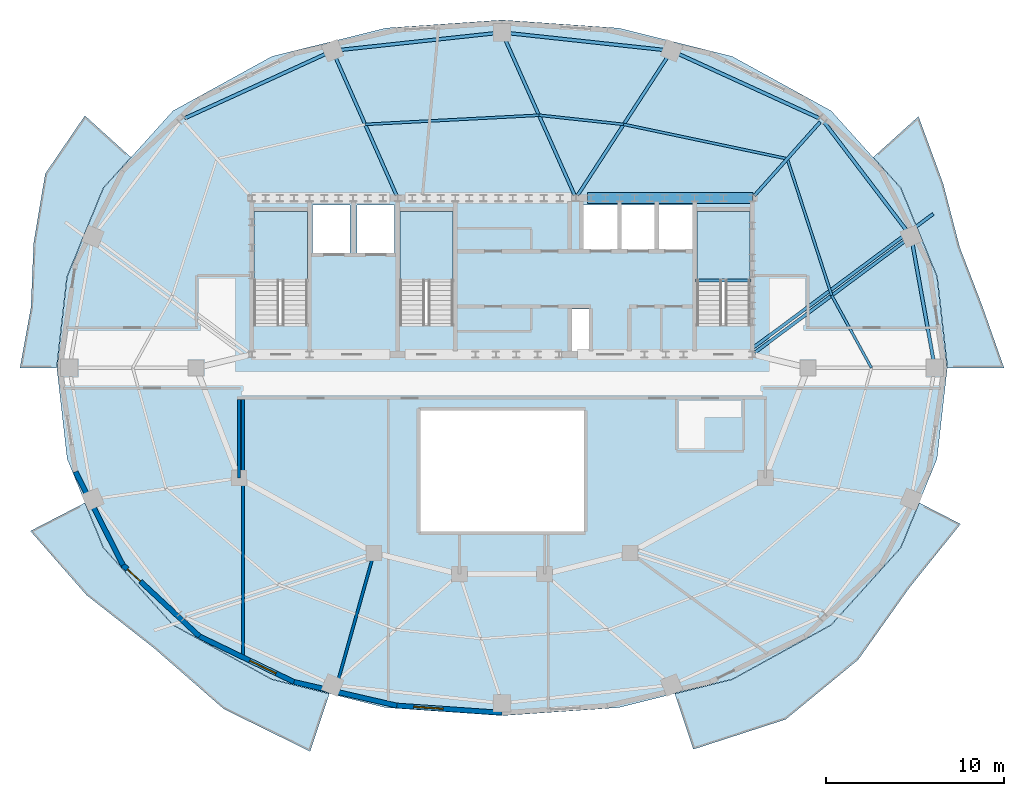
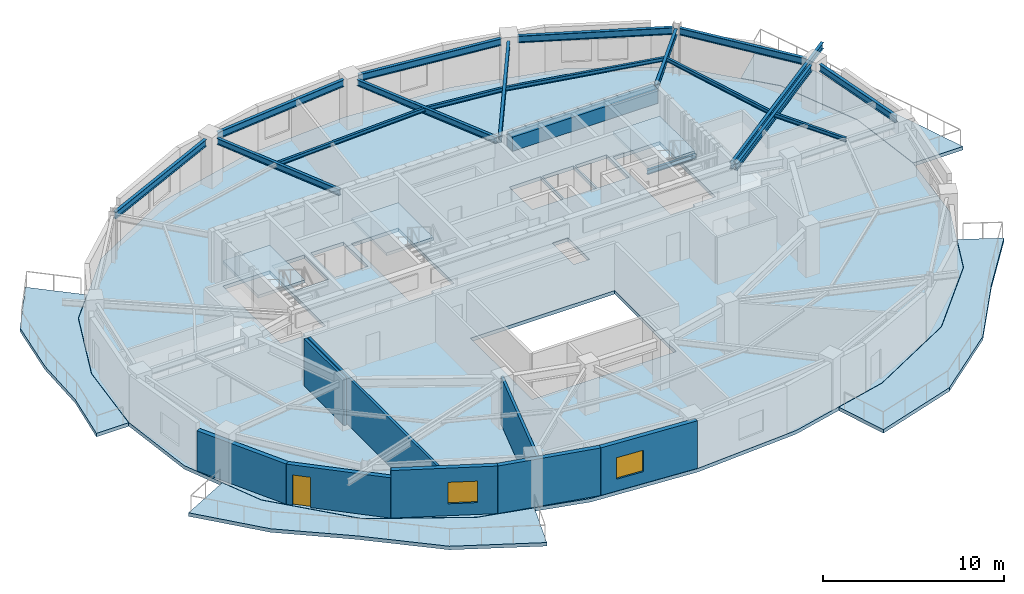
# One storey, part 3 of 10: 19 beams, 8 slabs, 8 walls, 2 windows, 1 door, 3 openings, 3 elements without a shape of their own.
"""IFC4 building model written with IfcOpenShell, lengths in metres."""

from ifc_helpers import new_model, si_unit, direction, frame, frame_2d, origin, origin_2d, place, context, subcontext, project, spatial, polyline, rectangle, i_section, outline, extrude, material, layer, layer_set, material_profile, profile_set, type_object, element, fill, aggregate, save


model = new_model("IFC4")

# Units and contexts
model_context = context("Model", 3, precision=1e-05, world=origin(), true_north=direction((0.0, 1.0)))
body_context = subcontext(model_context, "Body", "Model", "MODEL_VIEW")
ifc_project = project(units=[si_unit("LENGTHUNIT", "METRE"), si_unit("AREAUNIT", "SQUARE_METRE"), si_unit("VOLUMEUNIT", "CUBIC_METRE"), si_unit("PLANEANGLEUNIT", "RADIAN"), si_unit("MASSUNIT", "GRAM", prefix="KILO")], contexts=[model_context])

# Site, building, storey
site_placement = place(None, origin())
site = spatial("IfcSite", under=ifc_project, at=site_placement, CompositionType="ELEMENT")
building_placement = place(site_placement, origin())
building = spatial("IfcBuilding", under=site, at=building_placement, Name="Haldorwick Loom Tower", CompositionType="ELEMENT")
storey_placement = place(building_placement, frame((0.0, 0.0, 266.10009765625)))
storey = spatial("IfcBuildingStorey", under=building, at=storey_placement, Name="L72", CompositionType="ELEMENT", Elevation=266.10009765625)

# Beams
ifc_material_1 = material(Name="Steel CSA G40.21 350W", Category="steel")
ifc_material_profile_1 = material_profile(ifc_material_1, i_section(OverallWidth=0.179931640625, OverallDepth=0.4130859375, WebThickness=0.009765625, FlangeThickness=0.01611328125, at=origin_2d()), Name="W410X74", Category="steel")
ifc_profile_set_1 = profile_set([ifc_material_profile_1], Name="Steel CSA G40.21 350W")
beam_type_1 = type_object("IfcBeamType", Name="STR-BM-BAL410", PredefinedType="BEAM", material=ifc_profile_set_1)
beam_1_placement = place(storey_placement, frame((50.040771484375, 27.076904296875, 3.00341796875), z_axis=(0.802796921865, 0.596252549046, 0.0), x_axis=(-0.596252549046, 0.802796921865, 0.0)))
element("IfcBeam", 1, at=beam_1_placement, inside=storey, type_object=beam_type_1, Name="L72 Continuous Back-Spanned Balcony Beam 4", PredefinedType="BEAM", context=body_context, shape_type="SweptSolid", body=[
    extrude(i_section(OverallWidth=0.179931640625, OverallDepth=0.4130859375, WebThickness=0.009765625, FlangeThickness=0.01611328125, at=origin_2d()), origin(), (0.0, 0.0, 1.0), 12.7080078125),
])
ifc_material_2 = material(Name="Concrete C50 (50 MPa)", Category="concrete")
ifc_material_profile_2 = material_profile(ifc_material_2, rectangle(XDim=0.60009765625, YDim=0.949951171875, at=origin_2d()), Name="RC600X950", Category="concrete")
ifc_profile_set_2 = profile_set([ifc_material_profile_2], Name="Concrete C50 (50 MPa)")
beam_type_2 = type_object("IfcBeamType", Name="STR-BM-CB950", PredefinedType="LINTEL", material=ifc_profile_set_2)
beam_2_placement = place(storey_placement, frame((40.800048828125, 35.550048828125, 2.73486328125), z_axis=(1.0, 0.0, 0.0), x_axis=(0.0, 1.0, 0.0)))
element("IfcBeam", 2, at=beam_2_placement, inside=storey, type_object=beam_type_2, Name="L72 Core Coupling Beam CB-N3", PredefinedType="LINTEL", context=body_context, shape_type="SweptSolid", body=[
    extrude(rectangle(XDim=0.60009765625, YDim=0.949951171875, at=origin_2d()), origin(), (0.0, 0.0, 1.0), 9.300048828125),
])
ifc_material_profile_3 = material_profile(ifc_material_1, i_section(OverallWidth=0.14599609375, OverallDepth=0.258056640625, WebThickness=0.006103515625, FlangeThickness=0.009033203125, at=origin_2d()), Name="W250X33", Category="steel")
ifc_profile_set_3 = profile_set([ifc_material_profile_3], Name="Steel CSA G40.21 350W")
beam_type_3 = type_object("IfcBeamType", Name="STR-BM-J250", PredefinedType="JOIST", material=ifc_profile_set_3)
beam_3_placement = place(storey_placement, frame((56.768310546875, 26.0, 3.080810546875), z_axis=(-0.480863931781, 0.876795232145, 0.0), x_axis=(-0.876795232145, -0.480863931781, 0.0)))
element("IfcBeam", 3, at=beam_3_placement, inside=storey, type_object=beam_type_3, Name="L72 Mid-Bay Secondary Joist 1", PredefinedType="JOIST", context=body_context, shape_type="SweptSolid", body=[
    extrude(i_section(OverallWidth=0.14599609375, OverallDepth=0.258056640625, WebThickness=0.006103515625, FlangeThickness=0.009033203125, at=origin_2d()), origin(), (0.0, 0.0, 1.0), 4.639404296875),
])
beam_4_placement = place(storey_placement, frame((54.537353515625, 30.06787109375, 3.080810546875), z_axis=(-0.309277990337, 0.95097167397, 0.0), x_axis=(-0.95097167397, -0.309277990337, 0.0)))
element("IfcBeam", 4, at=beam_4_placement, inside=storey, type_object=beam_type_3, Name="L72 Mid-Bay Secondary Joist 2", PredefinedType="JOIST", context=body_context, shape_type="SweptSolid", body=[
    extrude(i_section(OverallWidth=0.14599609375, OverallDepth=0.258056640625, WebThickness=0.006103515625, FlangeThickness=0.009033203125, at=origin_2d()), origin(), (0.0, 0.0, 1.0), 8.08251953125),
])
beam_5_placement = place(storey_placement, frame((52.03759765625, 37.754150390625, 3.080810546875), z_axis=(-0.978553918403, 0.205990846344, 0.0), x_axis=(-0.205990846344, -0.978553918403, 0.0)))
element("IfcBeam", 5, at=beam_5_placement, inside=storey, type_object=beam_type_3, Name="L72 Mid-Bay Secondary Joist 3", PredefinedType="JOIST", context=body_context, shape_type="SweptSolid", body=[
    extrude(i_section(OverallWidth=0.14599609375, OverallDepth=0.258056640625, WebThickness=0.006103515625, FlangeThickness=0.009033203125, at=origin_2d()), origin(), (0.0, 0.0, 1.0), 9.39990234375),
])
beam_6_placement = place(storey_placement, frame((42.83935546875, 39.6904296875, 3.080810546875), z_axis=(-0.994216460534, 0.10739473732, 0.0), x_axis=(-0.10739473732, -0.994216460534, 0.0)))
element("IfcBeam", 6, at=beam_6_placement, inside=storey, type_object=beam_type_3, Name="L72 Mid-Bay Secondary Joist 4", PredefinedType="JOIST", context=body_context, shape_type="SweptSolid", body=[
    extrude(i_section(OverallWidth=0.14599609375, OverallDepth=0.258056640625, WebThickness=0.006103515625, FlangeThickness=0.009033203125, at=origin_2d()), origin(), (0.0, 0.0, 1.0), 4.792236328125),
])
beam_7_placement = place(storey_placement, frame((38.074951171875, 40.205078125, 3.080810546875), z_axis=(-0.998616726661, -0.052579779693, 0.0), x_axis=(0.052579779693, -0.998616726661, 0.0)))
element("IfcBeam", 7, at=beam_7_placement, inside=storey, type_object=beam_type_3, Name="L72 Mid-Bay Secondary Joist 5", PredefinedType="JOIST", context=body_context, shape_type="SweptSolid", body=[
    extrude(i_section(OverallWidth=0.14599609375, OverallDepth=0.258056640625, WebThickness=0.006103515625, FlangeThickness=0.009033203125, at=origin_2d()), origin(), (0.0, 0.0, 1.0), 9.787841796875),
])
ifc_material_profile_4 = material_profile(ifc_material_1, i_section(OverallWidth=0.179931640625, OverallDepth=0.4130859375, WebThickness=0.009765625, FlangeThickness=0.01611328125, at=origin_2d()), Name="W410X74", Category="steel")
ifc_profile_set_4 = profile_set([ifc_material_profile_4], Name="Steel CSA G40.21 350W")
beam_type_4 = type_object("IfcBeamType", Name="STR-BM-J410", PredefinedType="JOIST", material=ifc_profile_set_4)
beam_8_placement = place(storey_placement, frame((50.207763671875, 26.852294921875, 3.00341796875), z_axis=(0.802802773234, 0.596244670658, 0.0), x_axis=(-0.596244670658, 0.802802773234, 0.0)))
element("IfcBeam", 8, at=beam_8_placement, inside=storey, type_object=beam_type_4, Name="L72 Radial Floor Girder 2", PredefinedType="JOIST", context=body_context, shape_type="SweptSolid", body=[
    extrude(i_section(OverallWidth=0.179931640625, OverallDepth=0.4130859375, WebThickness=0.009765625, FlangeThickness=0.01611328125, at=origin_2d()), origin(), (0.0, 0.0, 1.0), 10.482666015625),
])
beam_9_placement = place(storey_placement, frame((50.18408203125, 35.677978515625, 3.00341796875), z_axis=(0.665970391236, 0.745978175282, 0.0), x_axis=(-0.745978175282, 0.665970391236, 0.0)))
element("IfcBeam", 9, at=beam_9_placement, inside=storey, type_object=beam_type_4, Name="L72 Radial Floor Girder 3", PredefinedType="JOIST", context=body_context, shape_type="SweptSolid", body=[
    extrude(i_section(OverallWidth=0.179931640625, OverallDepth=0.4130859375, WebThickness=0.009765625, FlangeThickness=0.01611328125, at=origin_2d()), origin(), (0.0, 0.0, 1.0), 5.559814453125),
])
beam_10_placement = place(storey_placement, frame((40.243408203125, 35.69384765625, 3.00341796875), z_axis=(0.544714921264, 0.838621281958, 0.0), x_axis=(-0.838621281958, 0.544714921264, 0.0)))
element("IfcBeam", 10, at=beam_10_placement, inside=storey, type_object=beam_type_4, Name="L72 Radial Floor Girder 4", PredefinedType="JOIST", context=body_context, shape_type="SweptSolid", body=[
    extrude(i_section(OverallWidth=0.179931640625, OverallDepth=0.4130859375, WebThickness=0.009765625, FlangeThickness=0.01611328125, at=origin_2d()), origin(), (0.0, 0.0, 1.0), 9.22802734375),
])
beam_11_placement = place(storey_placement, frame((40.080078125, 35.70654296875, 3.00341796875), z_axis=(-0.407125301808, 0.913372316543, 0.0), x_axis=(-0.913372316543, -0.407125301808, 0.0)))
element("IfcBeam", 11, at=beam_11_placement, inside=storey, type_object=beam_type_4, Name="L72 Radial Floor Girder 5", PredefinedType="JOIST", context=body_context, shape_type="SweptSolid", body=[
    extrude(i_section(OverallWidth=0.179931640625, OverallDepth=0.4130859375, WebThickness=0.009765625, FlangeThickness=0.01611328125, at=origin_2d()), origin(), (0.0, 0.0, 1.0), 9.546630859375),
])
beam_12_placement = place(storey_placement, frame((30.060791015625, 35.706787109375, 3.00341796875), z_axis=(-0.404157067806, 0.914689600106, 0.0), x_axis=(-0.914689600106, -0.404157067806, 0.0)))
element("IfcBeam", 12, at=beam_12_placement, inside=storey, type_object=beam_type_4, Name="L72 Radial Floor Girder 6", PredefinedType="JOIST", context=body_context, shape_type="SweptSolid", body=[
    extrude(i_section(OverallWidth=0.179931640625, OverallDepth=0.4130859375, WebThickness=0.009765625, FlangeThickness=0.01611328125, at=origin_2d()), origin(), (0.0, 0.0, 1.0), 8.406982421875),
])
ifc_material_profile_5 = material_profile(ifc_material_1, i_section(OverallWidth=0.193115234375, OverallDepth=0.466064453125, WebThickness=0.011474609375, FlangeThickness=0.01904296875, at=origin_2d()), Name="W460X97", Category="steel")
ifc_profile_set_5 = profile_set([ifc_material_profile_5], Name="Steel CSA G40.21 350W")
beam_type_5 = type_object("IfcBeamType", Name="STR-BM-SP460", PredefinedType="SPANDREL", material=ifc_profile_set_5)
beam_13_placement = place(storey_placement, frame((60.25244140625, 26.467529296875, 2.976806640625), z_axis=(-0.177515201984, 0.984118058499, 0.0), x_axis=(-0.984118058499, -0.177515201984, 0.0)))
element("IfcBeam", 13, at=beam_13_placement, inside=storey, type_object=beam_type_5, Name="L72 Perimeter Spandrel 1", PredefinedType="SPANDREL", context=body_context, shape_type="SweptSolid", body=[
    extrude(i_section(OverallWidth=0.193115234375, OverallDepth=0.466064453125, WebThickness=0.011474609375, FlangeThickness=0.01904296875, at=origin_2d()), origin(), (0.0, 0.0, 1.0), 6.5546875),
])
beam_14_placement = place(storey_placement, frame((58.717041015625, 33.763916015625, 2.976806640625), z_axis=(-0.605410439126, 0.795913437629, 0.0), x_axis=(-0.795913437629, -0.605410439126, 0.0)))
element("IfcBeam", 14, at=beam_14_placement, inside=storey, type_object=beam_type_5, Name="L72 Perimeter Spandrel 2", PredefinedType="SPANDREL", context=body_context, shape_type="SweptSolid", body=[
    extrude(i_section(OverallWidth=0.193115234375, OverallDepth=0.466064453125, WebThickness=0.011474609375, FlangeThickness=0.01904296875, at=origin_2d()), origin(), (0.0, 0.0, 1.0), 7.604736328125),
])
beam_15_placement = place(storey_placement, frame((53.84326171875, 40.0322265625, 2.976806640625), z_axis=(-0.909567887863, 0.415555360172, 0.0), x_axis=(-0.415555360172, -0.909567887863, 0.0)))
element("IfcBeam", 15, at=beam_15_placement, inside=storey, type_object=beam_type_5, Name="L72 Perimeter Spandrel 3", PredefinedType="SPANDREL", context=body_context, shape_type="SweptSolid", body=[
    extrude(i_section(OverallWidth=0.193115234375, OverallDepth=0.466064453125, WebThickness=0.011474609375, FlangeThickness=0.01904296875, at=origin_2d()), origin(), (0.0, 0.0, 1.0), 8.666259765625),
])
for number, where, z_axis, x_axis, name in (
    (16, (45.056396484375, 43.8818359375, 2.976806640625), (-0.994216353781, 0.107395725588, 0.0), (-0.107395725588, -0.994216353781, 0.0), "L72 Perimeter Spandrel 4"),
    (17, (35.527587890625, 44.80908203125, 2.976806640625), (-0.994216353781, -0.107395725588, 0.0), (0.107395725588, -0.994216353781, 0.0), "L72 Perimeter Spandrel 5"),
):
    element("IfcBeam", number, at=place(storey_placement, frame(where, z_axis=z_axis, x_axis=x_axis)), inside=storey, type_object=beam_type_5, Name=name, PredefinedType="SPANDREL", context=body_context, shape_type="SweptSolid", body=[
        extrude(i_section(OverallWidth=0.193115234375, OverallDepth=0.466064453125, WebThickness=0.011474609375, FlangeThickness=0.01904296875, at=origin_2d()), origin(), (0.0, 0.0, 1.0), 8.634033203125),
    ])
beam_16_placement = place(storey_placement, frame((26.039306640625, 43.633544921875, 2.976806640625), z_axis=(-0.909567887863, -0.415555360172, 0.0), x_axis=(0.415555360172, -0.909567887863, 0.0)))
element("IfcBeam", 18, at=beam_16_placement, inside=storey, type_object=beam_type_5, Name="L72 Perimeter Spandrel 6", PredefinedType="SPANDREL", context=body_context, shape_type="SweptSolid", body=[
    extrude(i_section(OverallWidth=0.193115234375, OverallDepth=0.466064453125, WebThickness=0.011474609375, FlangeThickness=0.01904296875, at=origin_2d()), origin(), (0.0, 0.0, 1.0), 8.666259765625),
])
ifc_material_profile_6 = material_profile(ifc_material_1, i_section(OverallWidth=0.166015625, OverallDepth=0.31298828125, WebThickness=0.006591796875, FlangeThickness=0.01123046875, at=origin_2d()), Name="W310X45", Category="steel")
ifc_profile_set_6 = profile_set([ifc_material_profile_6], Name="Steel CSA G40.21 350W")
beam_type_6 = type_object("IfcBeamType", Name="STR-BM-STRM", PredefinedType="BEAM", material=ifc_profile_set_6)
beam_17_placement = place(storey_placement, frame((46.889892578125, 30.919921875, 1.368408203125), z_axis=(1.0, 0.0, 0.0), x_axis=(0.0, 1.0, 0.0)))
element("IfcBeam", 19, at=beam_17_placement, inside=storey, type_object=beam_type_6, Name="L72 Stair ST-02 Half-Landing Trimmer 1", PredefinedType="BEAM", context=body_context, shape_type="SweptSolid", body=[
    extrude(i_section(OverallWidth=0.166015625, OverallDepth=0.31298828125, WebThickness=0.006591796875, FlangeThickness=0.01123046875, at=origin_2d()), origin(), (0.0, 0.0, 1.0), 3.1201171875),
])

# Slabs
ifc_material_3 = material(Name="Concrete C40 (40 MPa)", Category="concrete")
ifc_layer_1 = layer(ifc_material_3, 0.239990234375, Name="Concrete C40 (40 MPa)", Category="concrete")
ifc_layer_set_1 = layer_set([ifc_layer_1], Name="Concrete C40 (40 MPa)")
slab_type_1 = type_object("IfcSlabType", Name="STR-SLB-BAL240", PredefinedType="FLOOR", material=ifc_layer_set_1)
slab_1_placement = place(storey_placement, frame((0.0, 0.0, -0.239990234375)))
element("IfcSlab", 20, at=slab_1_placement, inside=storey, type_object=slab_type_1, Name="L72 Sinusoidal Balcony Terrace BAL_SE", PredefinedType="FLOOR", context=body_context, shape_type="SweptSolid", body=[
    extrude(outline(polyline([(59.459716796875, 18.406494140625), (58.427978515625, 15.88427734375), (58.427490234375, 15.883056640625), (58.4267578125, 15.882080078125), (58.426025390625, 15.881103515625), (58.42529296875, 15.8798828125), (54.51123046875, 11.53662109375), (54.51025390625, 11.535400390625), (54.5087890625, 11.534423828125), (54.50732421875, 11.53369140625), (48.947998046875, 8.475830078125), (48.947021484375, 8.475341796875), (48.94580078125, 8.474853515625), (48.9443359375, 8.474365234375), (45.716796875, 7.66845703125), (46.75927734375, 4.5478515625), (51.94775390625, 6.230712890625), (56.02783203125, 9.59130859375), (58.89404296875, 13.623291015625), (61.779052734375, 17.21826171875), (59.459716796875, 18.406494140625)])), origin(), (0.0, 0.0, 1.0), 0.239990234375),
])
slab_2_placement = place(storey_placement, frame((0.0, 0.0, -0.239990234375)))
element("IfcSlab", 21, at=slab_2_placement, inside=storey, type_object=slab_type_1, Name="L72 Sinusoidal Balcony Terrace BAL_SW", PredefinedType="FLOOR", context=body_context, shape_type="SweptSolid", body=[
    extrude(outline(polyline([(26.283203125, 7.66845703125), (23.0556640625, 8.474365234375), (23.05419921875, 8.474853515625), (23.052978515625, 8.475341796875), (23.052001953125, 8.475830078125), (17.49267578125, 11.53369140625), (17.4912109375, 11.534423828125), (17.48974609375, 11.535400390625), (17.48876953125, 11.53662109375), (13.57470703125, 15.8798828125), (13.573974609375, 15.881103515625), (13.5732421875, 15.882080078125), (13.572509765625, 15.883056640625), (13.572021484375, 15.88427734375), (12.54052734375, 18.40576171875), (9.477294921875, 16.823974609375), (12.634521484375, 13.219970703125), (16.458251953125, 10.213623046875), (20.3564453125, 6.8134765625), (25.20263671875, 4.430419921875), (26.283203125, 7.66845703125)])), origin(), (0.0, 0.0, 1.0), 0.239990234375),
])
slab_3_placement = place(storey_placement, frame((0.0, 0.0, -0.239990234375)))
element("IfcSlab", 22, at=slab_3_placement, inside=storey, type_object=slab_type_1, Name="L72 Sinusoidal Balcony Terrace BAL_WNW", PredefinedType="FLOOR", context=body_context, shape_type="SweptSolid", body=[
    extrude(outline(polyline([(10.9482421875, 26.0), (10.9482421875, 26.001708984375), (11.529296875, 31.12109375), (11.529541015625, 31.12255859375), (11.530029296875, 31.123779296875), (11.530517578125, 31.125), (13.572021484375, 36.11572265625), (13.572509765625, 36.116943359375), (13.5732421875, 36.117919921875), (13.573974609375, 36.118896484375), (13.57470703125, 36.1201171875), (15.125, 37.84033203125), (12.54052734375, 40.17822265625), (10.31298828125, 36.9169921875), (9.6611328125, 33.035400390625), (9.507080078125, 29.4091796875), (8.8916015625, 26.0), (10.9482421875, 26.0)])), origin(), (0.0, 0.0, 1.0), 0.239990234375),
])
slab_4_placement = place(storey_placement, frame((0.0, 0.0, -0.239990234375)))
element("IfcSlab", 23, at=slab_4_placement, inside=storey, type_object=slab_type_1, Name="L72 Sinusoidal Balcony Terrace BAL_ENE", PredefinedType="FLOOR", context=body_context, shape_type="SweptSolid", body=[
    extrude(outline(polyline([(56.875, 37.84033203125), (58.42529296875, 36.1201171875), (58.426025390625, 36.118896484375), (58.4267578125, 36.117919921875), (58.427490234375, 36.116943359375), (58.427978515625, 36.11572265625), (60.469482421875, 31.125), (60.469970703125, 31.123779296875), (60.470458984375, 31.12255859375), (60.470703125, 31.12109375), (61.0517578125, 26.001708984375), (61.0517578125, 26.0), (64.22509765625, 26.0), (62.98974609375, 29.510009765625), (61.732666015625, 32.783447265625), (60.806396484375, 36.342529296875), (59.414306640625, 40.13623046875), (56.875, 37.84033203125)])), origin(), (0.0, 0.0, 1.0), 0.239990234375),
])

# Stair, slab
stair_type = type_object("IfcStairType", Name="STR-STR-CORE", PredefinedType="HALF_TURN_STAIR", material=ifc_material_3)
stair_1_placement = place(storey_placement, origin())
stair_1 = element("IfcStair", 24, at=stair_1_placement, inside=storey, type_object=stair_type, Name="L72 Exit Stair ST-01", PredefinedType="HALF_TURN_STAIR")
ifc_layer_2 = layer(ifc_material_3, 0.199951171875, Name="Concrete C40 (40 MPa)", Category="concrete")
ifc_layer_set_2 = layer_set([ifc_layer_2], Name="Concrete C40 (40 MPa)")
slab_type_2 = type_object("IfcSlabType", Name="STR-SLB-LAND200", PredefinedType="LANDING", material=ifc_layer_set_2)
slab_5_placement = place(storey_placement, frame((0.0, 0.0, 1.52490234375)))
slab_5 = element("IfcSlab", 25, at=slab_5_placement, type_object=slab_type_2, Name="ST-01 landing 1", PredefinedType="LANDING", context=body_context, shape_type="SweptSolid", body=[
    extrude(outline(polyline([(25.050048828125, 30.919921875), (25.050048828125, 34.800048828125), (22.050048828125, 34.800048828125), (22.050048828125, 30.919921875), (25.050048828125, 30.919921875)])), origin(), (0.0, 0.0, 1.0), 0.199951171875),
])
aggregate(stair_1, [slab_5])

stair_2_placement = place(storey_placement, origin())
stair_2 = element("IfcStair", 26, at=stair_2_placement, inside=storey, type_object=stair_type, Name="L72 Exit Stair ST-02", PredefinedType="HALF_TURN_STAIR")
slab_6_placement = place(storey_placement, frame((0.0, 0.0, 1.52490234375)))
slab_6 = element("IfcSlab", 27, at=slab_6_placement, type_object=slab_type_2, Name="ST-02 landing 1", PredefinedType="LANDING", context=body_context, shape_type="SweptSolid", body=[
    extrude(outline(polyline([(49.949951171875, 30.919921875), (49.949951171875, 34.800048828125), (46.949951171875, 34.800048828125), (46.949951171875, 30.919921875), (49.949951171875, 30.919921875)])), origin(), (0.0, 0.0, 1.0), 0.199951171875),
])
aggregate(stair_2, [slab_6])

stair_3_placement = place(storey_placement, origin())
stair_3 = element("IfcStair", 28, at=stair_3_placement, inside=storey, type_object=stair_type, Name="L72 Exit Stair ST-03", PredefinedType="HALF_TURN_STAIR")
slab_7_placement = place(storey_placement, frame((0.0, 0.0, 1.52490234375)))
slab_7 = element("IfcSlab", 29, at=slab_7_placement, type_object=slab_type_2, Name="ST-03 landing 1", PredefinedType="LANDING", context=body_context, shape_type="SweptSolid", body=[
    extrude(outline(polyline([(33.25, 30.919921875), (33.25, 34.800048828125), (30.25, 34.800048828125), (30.25, 30.919921875), (33.25, 30.919921875)])), origin(), (0.0, 0.0, 1.0), 0.199951171875),
])
aggregate(stair_3, [slab_7])

# Slab
ifc_layer_3 = layer(ifc_material_3, 0.239990234375, Name="Concrete C40 (40 MPa)", Category="concrete")
ifc_layer_set_3 = layer_set([ifc_layer_3], Name="Concrete C40 (40 MPa)")
slab_type_3 = type_object("IfcSlabType", Name="STR-SLB-RES240", PredefinedType="FLOOR", material=ifc_layer_set_3)
slab_8_placement = place(storey_placement, frame((0.0, 0.0, -0.239990234375)))
element("IfcSlab", 30, at=slab_8_placement, inside=storey, type_object=slab_type_3, Name="L72 Residential Structural Floor Slab", PredefinedType="FLOOR", context=body_context, shape_type="SweptSolid", body=[
    extrude(outline(polyline([(54.500244140625, 11.546630859375), (58.4140625, 15.889892578125), (60.455810546875, 20.880615234375), (61.036865234375, 26.0), (60.455810546875, 31.119384765625), (58.4140625, 36.110107421875), (54.500244140625, 40.453369140625), (48.94091796875, 43.510986328125), (42.552978515625, 45.10595703125), (36.0, 45.56005859375), (29.447021484375, 45.10595703125), (23.05908203125, 43.510986328125), (17.499755859375, 40.453369140625), (13.5859375, 36.110107421875), (11.544189453125, 31.119384765625), (10.963134765625, 26.0), (11.544189453125, 20.880615234375), (13.5859375, 15.889892578125), (17.499755859375, 11.546630859375), (23.05908203125, 8.489013671875), (29.447021484375, 6.89404296875), (36.0, 6.43994140625), (42.552978515625, 6.89404296875), (48.94091796875, 8.489013671875), (54.500244140625, 11.546630859375)]), holes=[polyline([(31.39990234375, 16.800048828125), (31.39990234375, 23.60009765625), (40.60009765625, 23.60009765625), (40.60009765625, 16.800048828125), (31.39990234375, 16.800048828125)]), polyline([(40.89990234375, 26.89990234375), (39.89990234375, 26.89990234375), (39.89990234375, 29.300048828125), (40.89990234375, 29.300048828125), (40.89990234375, 26.89990234375)]), polyline([(23.6201171875, 28.39990234375), (22.050048828125, 28.39990234375), (22.050048828125, 34.800048828125), (25.050048828125, 34.800048828125), (25.050048828125, 28.639892578125), (23.6201171875, 28.639892578125), (23.6201171875, 28.39990234375)]), polyline([(30.25, 28.39990234375), (30.25, 34.800048828125), (33.25, 34.800048828125), (33.25, 28.639892578125), (31.820068359375, 28.639892578125), (31.820068359375, 28.39990234375), (30.25, 28.39990234375)]), polyline([(46.949951171875, 28.39990234375), (46.949951171875, 34.800048828125), (49.949951171875, 34.800048828125), (49.949951171875, 28.639892578125), (48.52001953125, 28.639892578125), (48.52001953125, 28.39990234375), (46.949951171875, 28.39990234375)]), polyline([(27.449951171875, 32.449951171875), (25.35009765625, 32.449951171875), (25.35009765625, 35.14990234375), (27.449951171875, 35.14990234375), (27.449951171875, 32.449951171875)]), polyline([(29.949951171875, 32.449951171875), (27.85009765625, 32.449951171875), (27.85009765625, 35.14990234375), (29.949951171875, 35.14990234375), (29.949951171875, 32.449951171875)]), polyline([(42.550048828125, 32.64990234375), (40.550048828125, 32.64990234375), (40.550048828125, 35.14990234375), (42.550048828125, 35.14990234375), (42.550048828125, 32.64990234375)]), polyline([(42.64990234375, 32.64990234375), (42.64990234375, 35.14990234375), (44.64990234375, 35.14990234375), (44.64990234375, 32.64990234375), (42.64990234375, 32.64990234375)]), polyline([(44.75, 32.64990234375), (44.75, 35.14990234375), (46.75, 35.14990234375), (46.75, 32.64990234375), (44.75, 32.64990234375)])]), origin(), (0.0, 0.0, 1.0), 0.239990234375),
])

# Wall
ifc_material_4 = material(Name="Pressed Clay Face Brick and Insulated Masonry Backup Assembly", Category="masonry")
ifc_layer_4 = layer(ifc_material_4, 0.280029296875, Name="Pressed Clay Face Brick and Insulated Masonry Backup Assembly", Category="masonry")
ifc_layer_set_4 = layer_set([ifc_layer_4], Name="Pressed Clay Face Brick and Insulated Masonry Backup Assembly")
wall_type_1 = type_object("IfcWallType", Name="ARC-WL-EXT280", PredefinedType="STANDARD", material=ifc_layer_set_4)
wall_1_placement = place(storey_placement, frame((12.013671875, 20.151123046875, 0.0), z_axis=(0.0, 0.0, 1.0), x_axis=(0.453100705059, -0.89145933787, 0.0)))
element("IfcWall", 31, at=wall_1_placement, inside=storey, type_object=wall_type_1, Name="L72 Brick Pier and Spandrel Wall 14", PredefinedType="STANDARD", context=body_context, shape_type="SweptSolid", body=[
    extrude(rectangle(XDim=5.879150390625, YDim=0.280029296875, at=frame_2d((2.939453125, 0.0))), origin(), (0.0, 0.0, 1.0), 2.718994140625),
])

# Wall, opening, door
wall_2_placement = place(storey_placement, frame((14.677490234375, 14.91015625, 0.0), z_axis=(0.0, 0.0, 1.0), x_axis=(0.731924682982, -0.68138554317, 0.0)))
wall_2 = element("IfcWall", 32, at=wall_2_placement, inside=storey, type_object=wall_type_1, Name="L72 Brick Pier and Spandrel Wall 15", PredefinedType="STANDARD", context=body_context, shape_type="SweptSolid", body=[
    extrude(rectangle(XDim=5.87890625, YDim=0.280029296875, at=frame_2d((2.939453125, 0.0))), origin(), (0.0, 0.0, 1.0), 2.718994140625),
])
opening_1_placement = place(wall_2_placement, frame((0.340087890625, 0.0, 0.0)))
opening_1 = element("IfcOpeningElement", 33, at=opening_1_placement, cuts=wall_2, Name="Opening D-BL10", PredefinedType="OPENING", context=body_context, shape_type="SweptSolid", body=[
    extrude(rectangle(XDim=1.0, YDim=2.0400390625, at=frame_2d((0.5, 1.02001953125))), frame((0.0, 0.14990234375, 0.0), z_axis=(0.0, -1.0, 0.0), x_axis=(1.0, 0.0, 0.0)), (0.0, 0.0, 1.0), 0.300048828125),
])
ifc_material_5 = material(Name="Thermally Broken Anodized Aluminium Curtain Wall Framing", Category="aluminium")
door_type = type_object("IfcDoorType", Name="ARC-DR-BAL100", OperationType="NOTDEFINED", PredefinedType="DOOR", material=ifc_material_5)
door_placement = place(opening_1_placement, origin())
door = element("IfcDoor", 34, at=door_placement, inside=storey, type_object=door_type, Name="L72 Outdoor Terrace Door SLB-L72-BAL_SW", OperationType="SINGLE_SWING_LEFT", OverallHeight=2.0400390625, OverallWidth=1.0, PredefinedType="DOOR", context=body_context, shape_type="SweptSolid", body=[
    extrude(rectangle(XDim=1.0, YDim=2.0400390625, at=frame_2d((0.5, 1.02001953125))), frame((0.0, 0.02490234375, 0.0), z_axis=(0.0, -1.0, 0.0), x_axis=(1.0, 0.0, 0.0)), (0.0, 0.0, 1.0), 0.050048828125),
])
fill(opening_1, door)

# Wall, opening, window
wall_3_placement = place(storey_placement, frame((18.98046875, 10.904296875, 0.0), z_axis=(0.0, 0.0, 1.0), x_axis=(0.900481907967, -0.434893473651, 0.0)))
wall_3 = element("IfcWall", 35, at=wall_3_placement, inside=storey, type_object=wall_type_1, Name="L72 Brick Pier and Spandrel Wall 16", PredefinedType="STANDARD", context=body_context, shape_type="SweptSolid", body=[
    extrude(rectangle(XDim=5.90966796875, YDim=0.280029296875, at=frame_2d((2.954833984375, 0.0))), origin(), (0.0, 0.0, 1.0), 3.2099609375),
])
opening_2_placement = place(wall_3_placement, frame((3.14404296875, 0.0, 0.800048828125)))
opening_2 = element("IfcOpeningElement", 36, at=opening_2_placement, cuts=wall_3, Name="Opening W-01B", PredefinedType="OPENING", context=body_context, shape_type="SweptSolid", body=[
    extrude(rectangle(XDim=1.64990234375, YDim=1.449951171875, at=frame_2d((0.824951171875, 0.72509765625))), frame((0.0, 0.14990234375, 0.0), z_axis=(0.0, -1.0, 0.0), x_axis=(1.0, 0.0, 0.0)), (0.0, 0.0, 1.0), 0.300048828125),
])
ifc_material_6 = material(Name="Triple-Glazed Low-E Argon Insulated Glazing Unit", Category="glass")
window_type = type_object("IfcWindowType", Name="ARC-WIN-W165", PartitioningType="SINGLE_PANEL", PredefinedType="WINDOW", material=ifc_material_6)
window_1_placement = place(opening_2_placement, origin())
window_1 = element("IfcWindow", 37, at=window_1_placement, inside=storey, type_object=window_type, Name="L72 Deep-Set Zone 7A Window 16", OverallHeight=1.449951171875, OverallWidth=1.64990234375, PartitioningType="SINGLE_PANEL", PredefinedType="WINDOW", context=body_context, shape_type="SweptSolid", body=[
    extrude(rectangle(XDim=1.64990234375, YDim=1.449951171875, at=frame_2d((0.824951171875, 0.72509765625))), frame((0.0, 0.030029296875, 0.0), z_axis=(0.0, -1.0, 0.0), x_axis=(1.0, 0.0, 0.0)), (0.0, 0.0, 1.0), 0.06005859375),
])
fill(opening_2, window_1)

# Wall
wall_4_placement = place(storey_placement, frame((24.302001953125, 8.334228515625, 0.0), z_axis=(0.0, 0.0, 1.0), x_axis=(0.974589984037, -0.223996345987, 0.0)))
element("IfcWall", 38, at=wall_4_placement, inside=storey, type_object=wall_type_1, Name="L72 Brick Pier and Spandrel Wall 17", PredefinedType="STANDARD", context=body_context, shape_type="SweptSolid", body=[
    extrude(rectangle(XDim=5.92919921875, YDim=0.280029296875, at=frame_2d((2.964599609375, 0.0))), origin(), (0.0, 0.0, 1.0), 3.2099609375),
])

# Wall, opening, window
wall_5_placement = place(storey_placement, frame((30.08056640625, 7.006103515625, 0.0), z_axis=(0.0, 0.0, 1.0), x_axis=(0.997656066566, -0.068427865986, 0.0)))
wall_5 = element("IfcWall", 39, at=wall_5_placement, inside=storey, type_object=wall_type_1, Name="L72 Brick Pier and Spandrel Wall 18", PredefinedType="STANDARD", context=body_context, shape_type="SweptSolid", body=[
    extrude(rectangle(XDim=5.933349609375, YDim=0.280029296875, at=frame_2d((2.966796875, 0.0))), origin(), (0.0, 0.0, 1.0), 3.2099609375),
])
opening_3_placement = place(wall_5_placement, frame((0.955078125, 0.0, 0.800048828125)))
opening_3 = element("IfcOpeningElement", 40, at=opening_3_placement, cuts=wall_5, Name="Opening W-01B", PredefinedType="OPENING", context=body_context, shape_type="SweptSolid", body=[
    extrude(rectangle(XDim=1.64990234375, YDim=1.449951171875, at=frame_2d((0.824951171875, 0.72509765625))), frame((0.0, 0.14990234375, 0.0), z_axis=(0.0, -1.0, 0.0), x_axis=(1.0, 0.0, 0.0)), (0.0, 0.0, 1.0), 0.300048828125),
])
window_2_placement = place(opening_3_placement, origin())
window_2 = element("IfcWindow", 41, at=window_2_placement, inside=storey, type_object=window_type, Name="L72 Deep-Set Zone 7A Window 18", OverallHeight=1.449951171875, OverallWidth=1.64990234375, PartitioningType="SINGLE_PANEL", PredefinedType="WINDOW", context=body_context, shape_type="SweptSolid", body=[
    extrude(rectangle(XDim=1.64990234375, YDim=1.449951171875, at=frame_2d((0.824951171875, 0.72509765625))), frame((0.0, 0.030029296875, 0.0), z_axis=(0.0, -1.0, 0.0), x_axis=(1.0, 0.0, 0.0)), (0.0, 0.0, 1.0), 0.06005859375),
])
fill(opening_3, window_2)

# Walls
ifc_material_7 = material(Name="Fire-Rated Type X Gypsum Stud Assembly EI 60")
ifc_layer_5 = layer(ifc_material_7, 0.159912109375, Name="Fire-Rated Type X Gypsum Stud Assembly EI 60")
ifc_layer_set_5 = layer_set([ifc_layer_5], Name="Fire-Rated Type X Gypsum Stud Assembly EI 60")
wall_type_2 = type_object("IfcWallType", Name="ARC-WL-FIRE160", PredefinedType="PARTITIONING", material=ifc_layer_set_5)
wall_6_placement = place(storey_placement, frame((28.800048828125, 15.60009765625, 0.0), z_axis=(0.0, 0.0, 1.0), x_axis=(-0.270518178494, -0.96271486698, 0.0)))
element("IfcWall", 42, at=wall_6_placement, inside=storey, type_object=wall_type_2, Name="L72 Residential Fire Partition L72-ICR-07", PredefinedType="PARTITIONING", context=body_context, shape_type="SweptSolid", body=[
    extrude(rectangle(XDim=8.052978515625, YDim=0.159912109375, at=frame_2d((4.0263671875, 0.0))), origin(), (0.0, 0.0, 1.0), 3.19482421875),
])
wall_7_placement = place(storey_placement, frame((21.199951171875, 24.217041015625, 0.0), z_axis=(0.0, 0.0, 1.0), x_axis=(0.0, -1.0, 0.0)))
element("IfcWall", 43, at=wall_7_placement, inside=storey, type_object=wall_type_2, Name="L72 Residential Fire Partition L72-ICA-08", PredefinedType="PARTITIONING", context=body_context, shape_type="SweptSolid", body=[
    extrude(rectangle(XDim=4.4169921875, YDim=0.159912109375, at=frame_2d((2.20849609375, 0.0))), origin(), (0.0, 0.0, 1.0), 3.19482421875),
])
wall_8_placement = place(storey_placement, frame((21.436279296875, 24.217041015625, 0.0), z_axis=(0.0, 0.0, 1.0), x_axis=(0.0, -1.0, 0.0)))
element("IfcWall", 44, at=wall_8_placement, inside=storey, type_object=wall_type_2, Name="L72 Suite Split Wall", PredefinedType="PARTITIONING", context=body_context, shape_type="SweptSolid", body=[
    extrude(rectangle(XDim=14.44873046875, YDim=0.159912109375, at=frame_2d((7.224365234375, 0.0))), origin(), (0.0, 0.0, 1.0), 3.19482421875),
])

save(model, "model.ifc")
